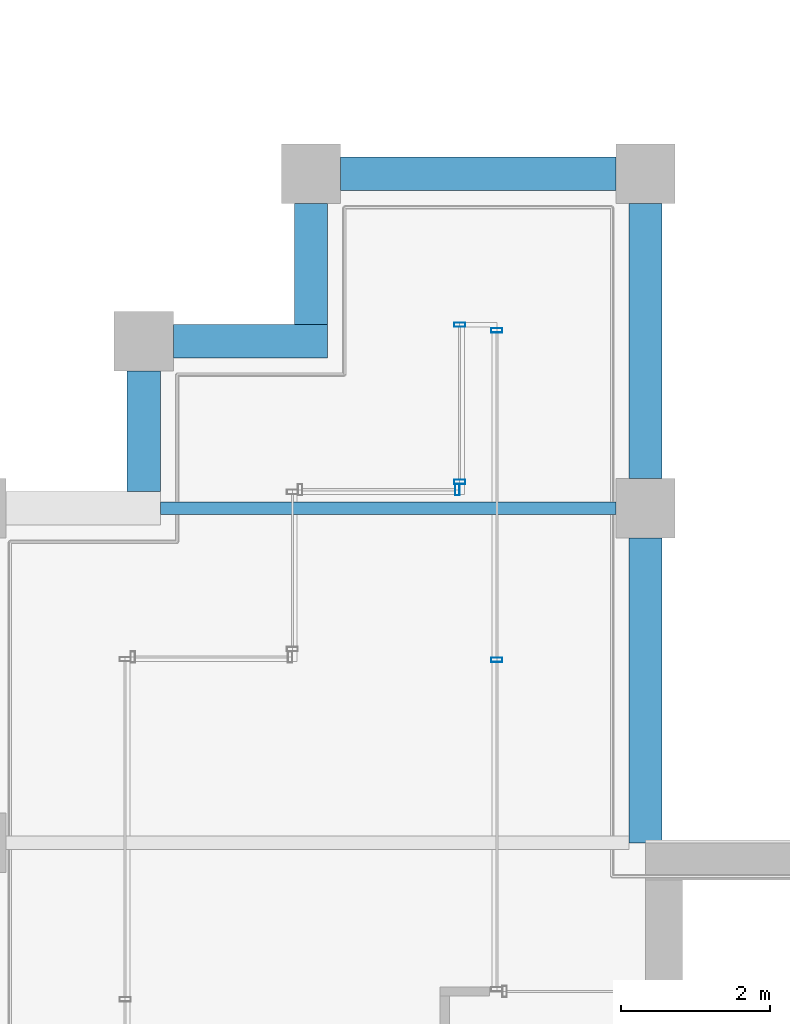
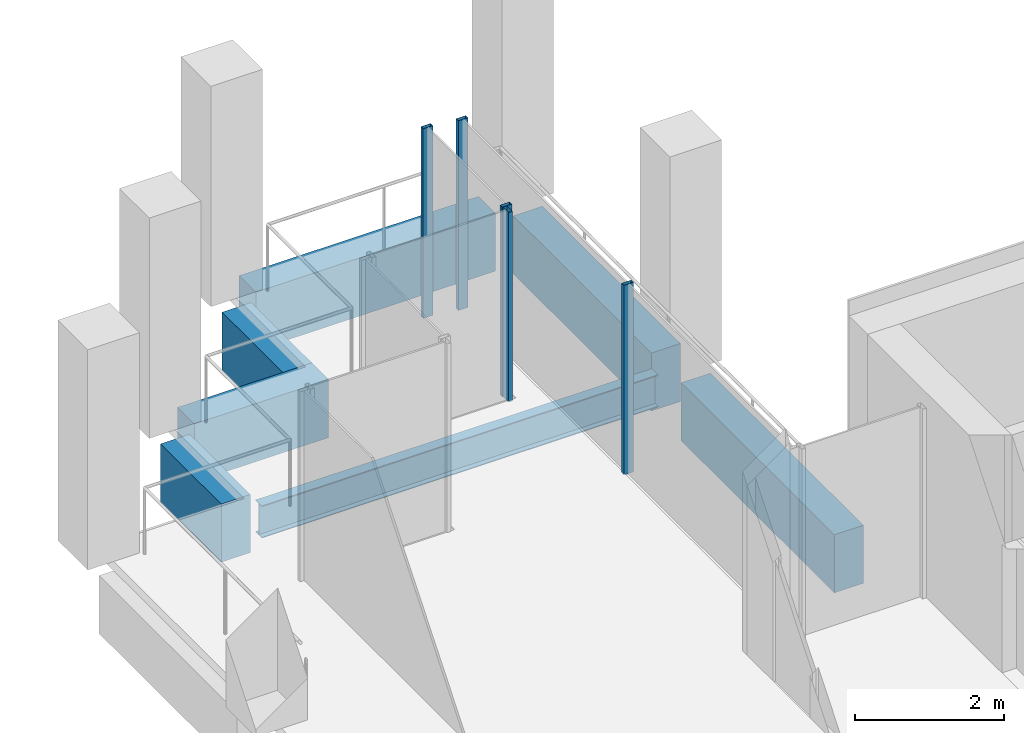
# One storey, part 33 of 40: 7 beams, 5 members, 3 elements without a shape of their own.
"""IFC4 building model written with IfcOpenShell, lengths in metres."""

import ifcopenshell
import ifcopenshell.guid

model = None  # the IFC model being written
_history = None  # IfcOwnerHistory: only IFC2X3 demands one
_inside = {}  # id of a spatial element -> (the spatial element, [elements in it])
_under = {}  # id of a project, library or spatial element -> (it, [spatial elements below it])
_declared = {}  # id of a project -> (the project, [libraries it declares])
_typed = {}  # id of a type object -> (the type object, [elements of that type])
_made_of = {}  # id of a material, layer set ... -> (it, [elements and type objects made of it])


def new_model(schema):
    """Start an empty IFC model of exactly this schema.

    Asked for "IFC4X3", IfcOpenShell would pick the latest addendum, in which some entities
    have other attributes; the version numbers below select the first issue.
    IFC2X3 requires an IfcOwnerHistory on every rooted entity: one is made here for all.
    """
    global model, _history
    if schema == "IFC4X3":
        model = ifcopenshell.file(schema_version=(4, 3, 0, 0))
    else:
        model = ifcopenshell.file(schema=schema)
    _inside.clear()
    _under.clear()
    _declared.clear()
    _typed.clear()
    _made_of.clear()
    _history = None
    if model.schema == "IFC2X3":
        org = make("IfcOrganization", Name="unknown")
        user = make(
            "IfcPersonAndOrganization",
            ThePerson=make("IfcPerson", FamilyName="unknown"),
            TheOrganization=org,
        )
        app = make(
            "IfcApplication",
            ApplicationDeveloper=org,
            Version="unknown",
            ApplicationFullName="unknown",
            ApplicationIdentifier="unknown",
        )
        _history = make(
            "IfcOwnerHistory",
            OwningUser=user,
            OwningApplication=app,
            ChangeAction="ADDED",
            CreationDate=0,
        )
    return model


def make(cls, **values):
    """One entity of the class cls with the attributes given. An attribute that is None is left unset."""
    return model.create_entity(
        cls, **{name: value for name, value in values.items() if value is not None}
    )


def rooted(cls, **values):
    """An entity with a GlobalId (a new one), such as an element, a storey or a relation."""
    return make(cls, GlobalId=ifcopenshell.guid.new(), OwnerHistory=_history, **values)


def si_unit(unit_type, name, prefix=None):
    """IfcSIUnit, for example si_unit("LENGTHUNIT", "METRE", prefix="MILLI")."""
    return make("IfcSIUnit", UnitType=unit_type, Prefix=prefix, Name=name)


def assignment(units):
    """IfcUnitAssignment: the units of a project."""
    return None if units is None else make("IfcUnitAssignment", Units=units)


def point(xyz):
    """IfcCartesianPoint."""
    return None if xyz is None else make("IfcCartesianPoint", Coordinates=xyz)


def direction(xyz):
    """IfcDirection."""
    return None if xyz is None else make("IfcDirection", DirectionRatios=xyz)


def frame(location, z_axis=None, x_axis=None):
    """IfcAxis2Placement3D, a coordinate frame: its origin and axes. An axis left out is left unset."""
    return make(
        "IfcAxis2Placement3D",
        Location=point(location),
        Axis=direction(z_axis),
        RefDirection=direction(x_axis),
    )


def frame_2d(location, x_axis=None):
    """IfcAxis2Placement2D, a coordinate frame in the plane: its origin and x axis."""
    return make(
        "IfcAxis2Placement2D", Location=point(location), RefDirection=direction(x_axis)
    )


def origin():
    """The frame at (0, 0, 0) with its axes left unset."""
    return frame((0.0, 0.0, 0.0))


def origin_2d():
    """The frame at (0, 0) in the plane with its x axis left unset."""
    return frame_2d((0.0, 0.0))


def place(relative_to, where):
    """IfcLocalPlacement: puts the frame where relative to a parent placement (None: the world)."""
    return make(
        "IfcLocalPlacement", PlacementRelTo=relative_to, RelativePlacement=where
    )


def context(
    kind, dimensions, precision=None, world=None, true_north=None, identifier=None
):
    """IfcGeometricRepresentationContext, for example the 3D "Model" context."""
    return make(
        "IfcGeometricRepresentationContext",
        ContextIdentifier=identifier,
        ContextType=kind,
        CoordinateSpaceDimension=dimensions,
        Precision=precision,
        WorldCoordinateSystem=world,
        TrueNorth=true_north,
    )


def subcontext(parent, identifier, kind, view, scale=None):
    """IfcGeometricRepresentationSubContext, for example "Body" below "Model"."""
    return make(
        "IfcGeometricRepresentationSubContext",
        ContextIdentifier=identifier,
        ContextType=kind,
        ParentContext=parent,
        TargetScale=scale,
        TargetView=view,
    )


def project(units=None, contexts=None):
    """IfcProject with its units and contexts."""
    return rooted(
        "IfcProject",
        Name="project",
        RepresentationContexts=contexts,
        UnitsInContext=assignment(units),
    )


def spatial(cls, under=None, at=None, **own):
    """A site, building, storey or space (cls), placed at a placement, below another one or the project."""
    s = rooted(cls, ObjectPlacement=at, **own)
    if under is not None:
        _under.setdefault(under.id(), (under, []))[1].append(s)
    return s


def profile(cls, at=None, kind="AREA", **sizes):
    """A parametric profile (cls). Its sizes go by their IFC names, for example OverallWidth=200.0."""
    return make(cls, ProfileType=kind, Position=at, **sizes)


def rectangle(**sizes):
    """IfcRectangleProfileDef."""
    return profile("IfcRectangleProfileDef", **sizes)


def hollow_rectangle(**sizes):
    """IfcRectangleHollowProfileDef."""
    return profile("IfcRectangleHollowProfileDef", **sizes)


def i_section(**sizes):
    """IfcIShapeProfileDef."""
    return profile("IfcIShapeProfileDef", **sizes)


def extrude(swept, where, along, depth):
    """IfcExtrudedAreaSolid: the profile swept, set in the frame where, extruded along a direction by depth."""
    return make(
        "IfcExtrudedAreaSolid",
        SweptArea=swept,
        Position=where,
        ExtrudedDirection=direction(along),
        Depth=depth,
    )


def shape(context_of_items, identifier, shape_type, items):
    """IfcShapeRepresentation: the items that make up one representation, for example the "Body"."""
    return make(
        "IfcShapeRepresentation",
        ContextOfItems=context_of_items,
        RepresentationIdentifier=identifier,
        RepresentationType=shape_type,
        Items=items,
    )


def material(Name=None, Category=None):
    """IfcMaterial."""
    return make("IfcMaterial", Name=Name, Category=Category)


def material_profile(
    of_material, cross_section, Name=None, Category=None, Priority=None
):
    """IfcMaterialProfile: a cross section and its material."""
    return make(
        "IfcMaterialProfile",
        Name=Name,
        Material=of_material,
        Profile=cross_section,
        Priority=Priority,
        Category=Category,
    )


def profile_set(profiles, Name=None, composite=None):
    """IfcMaterialProfileSet."""
    return make(
        "IfcMaterialProfileSet",
        Name=Name,
        MaterialProfiles=profiles,
        CompositeProfile=composite,
    )


def made_of(thing, what):
    """Note that an element or type object is made of a material, layer set ...; save() writes the relation."""
    if what is not None:
        _made_of.setdefault(what.id(), (what, []))[1].append(thing)
    return thing


def type_object(cls, material=None, **own):
    """A type object (cls), such as IfcWallType, which elements share."""
    return made_of(rooted(cls, **own), material)


def element(
    cls,
    number,
    at=None,
    inside=None,
    cuts=None,
    type_object=None,
    material=None,
    context=None,
    identifier="Body",
    shape_type=None,
    held_by="IfcProductDefinitionShape",
    body=None,
    shapes=None,
    **own,
):
    """One element of the class cls, such as IfcWall. Its Tag is "e" and its number.

    at: its placement. inside: the storey or other place that contains it. cuts: it is an
    opening in that element (IfcRelVoidsElement). A single representation is given by context,
    identifier, shape_type and body (its items); several are given by shapes. held_by: the class
    of the entity that holds the representations. save() writes the other relations.
    """
    e = rooted(cls, Tag="e%d" % number, ObjectPlacement=at, **own)
    if body is not None:
        shapes = [shape(context, identifier, shape_type, body)]
    if shapes is not None:
        e.Representation = make(held_by, Representations=shapes)
    if inside is not None:
        _inside.setdefault(inside.id(), (inside, []))[1].append(e)
    if cuts is not None:
        rooted(
            "IfcRelVoidsElement", RelatingBuildingElement=cuts, RelatedOpeningElement=e
        )
    if type_object is not None:
        _typed.setdefault(type_object.id(), (type_object, []))[1].append(e)
    return made_of(e, material)


def aggregate(whole, parts):
    """IfcRelAggregates: a whole, such as a stair, and the parts it consists of."""
    return rooted("IfcRelAggregates", RelatingObject=whole, RelatedObjects=parts)


def save(model, path):
    """Write the relations noted so far, then the file.

    IfcRelAggregates (storeys below a building ...), IfcRelContainedInSpatialStructure (elements
    in a storey), IfcRelDefinesByType, IfcRelAssociatesMaterial and IfcRelDeclares: one each for
    every whole, place, type object, material and project.
    """
    for whole, parts in _under.values():
        aggregate(whole, parts)
    for where, things in _inside.values():
        rooted(
            "IfcRelContainedInSpatialStructure",
            RelatedElements=things,
            RelatingStructure=where,
        )
    for kind, things in _typed.values():
        rooted("IfcRelDefinesByType", RelatedObjects=things, RelatingType=kind)
    for what, things in _made_of.values():
        rooted("IfcRelAssociatesMaterial", RelatedObjects=things, RelatingMaterial=what)
    for by, libraries in _declared.values():
        rooted("IfcRelDeclares", RelatingContext=by, RelatedDefinitions=libraries)
    model.write(path)


model = new_model("IFC4")

# Units and contexts
model_context = context("Model", 3, precision=1e-05, world=origin(), true_north=direction((0.0, 1.0)))
body_context = subcontext(model_context, "Body", "Model", "MODEL_VIEW")
ifc_project = project(units=[si_unit("LENGTHUNIT", "METRE"), si_unit("AREAUNIT", "SQUARE_METRE"), si_unit("VOLUMEUNIT", "CUBIC_METRE"), si_unit("PLANEANGLEUNIT", "RADIAN"), si_unit("MASSUNIT", "GRAM", prefix="KILO")], contexts=[model_context])

# Site, building, storey
site_placement = place(None, origin())
site = spatial("IfcSite", under=ifc_project, at=site_placement, CompositionType="ELEMENT")
building_placement = place(site_placement, origin())
building = spatial("IfcBuilding", under=site, at=building_placement, Name="Altepetl Exchange Towers", CompositionType="ELEMENT")
storey_placement = place(building_placement, frame((0.0, 0.0, 199.199951171875)))
storey = spatial("IfcBuildingStorey", under=building, at=storey_placement, Name="L50", CompositionType="ELEMENT", Elevation=199.199951171875)

# Beam
ifc_material_1 = material(Name="Steel S355", Category="steel")
ifc_material_profile_1 = material_profile(ifc_material_1, i_section(OverallWidth=0.166015625, OverallDepth=0.529052734375, WebThickness=0.009765625, FlangeThickness=0.013671875, at=origin_2d()), Name="W21X50")
ifc_profile_set_1 = profile_set([ifc_material_profile_1], Name="Steel S355")
beam_type_1 = type_object("IfcBeamType", Name="Floor beam W21X50", PredefinedType="BEAM", material=ifc_profile_set_1)
beam_1_placement = place(storey_placement, frame((96.97509765625, 54.0, -0.41455078125), z_axis=(1.0, 0.0, 0.0), x_axis=(0.0, 1.0, 0.0)))
element("IfcBeam", 1, at=beam_1_placement, inside=storey, type_object=beam_type_1, Name="bm:B:L50:007", PredefinedType="BEAM", context=body_context, shape_type="SweptSolid", body=[
    extrude(i_section(OverallWidth=0.166015625, OverallDepth=0.529052734375, WebThickness=0.009765625, FlangeThickness=0.013671875, at=origin_2d()), origin(), (0.0, 0.0, 1.0), 6.125),
])

# Curtain wall, members
ifc_material_2 = material(Name="Aluminium 6063-T6 glazing", Category="aluminium")
curtain_wall_type = type_object("IfcCurtainWallType", Name="Loggia glazing system", PredefinedType="NOTDEFINED", material=ifc_material_2)
curtain_wall_1_placement = place(storey_placement, origin())
curtain_wall_1 = element("IfcCurtainWall", 2, at=curtain_wall_1_placement, inside=storey, type_object=curtain_wall_type, Name="CW1 run", PredefinedType="NOTDEFINED")
ifc_material_3 = material(Name="Aluminium 6063-T6", Category="aluminium")
ifc_material_profile_2 = material_profile(ifc_material_3, hollow_rectangle(XDim=0.06005859375, YDim=0.14990234375, WallThickness=0.0029296875, at=origin_2d()), Name="Mullion 60x150 aluminium")
ifc_profile_set_2 = profile_set([ifc_material_profile_2], Name="Aluminium 6063-T6")
member_type = type_object("IfcMemberType", Name="Mullion 60x150 aluminium", PredefinedType="MULLION", material=ifc_profile_set_2)
member_1_placement = place(storey_placement, frame((101.5, 51.96240234375, 0.0), z_axis=(0.0, 0.0, 1.0), x_axis=(0.0, 1.0, 0.0)))
member_1 = element("IfcMember", 3, at=member_1_placement, type_object=member_type, Name="MU1 mullion", PredefinedType="MULLION", context=body_context, shape_type="SweptSolid", body=[
    extrude(hollow_rectangle(XDim=0.06005859375, YDim=0.14990234375, WallThickness=0.0029296875, at=origin_2d()), origin(), (0.0, 0.0, 1.0), 3.10009765625),
])
member_2_placement = place(storey_placement, frame((101.5, 56.39501953125, 0.0), z_axis=(0.0, 0.0, 1.0), x_axis=(0.0, 1.0, 0.0)))
member_2 = element("IfcMember", 4, at=member_2_placement, type_object=member_type, Name="MU1 mullion", PredefinedType="MULLION", context=body_context, shape_type="SweptSolid", body=[
    extrude(hollow_rectangle(XDim=0.06005859375, YDim=0.14990234375, WallThickness=0.0029296875, at=origin_2d()), origin(), (0.0, 0.0, 1.0), 3.10009765625),
])
aggregate(curtain_wall_1, [member_1, member_2])

curtain_wall_2_placement = place(storey_placement, origin())
curtain_wall_2 = element("IfcCurtainWall", 5, at=curtain_wall_2_placement, inside=storey, type_object=curtain_wall_type, Name="CW1 run", PredefinedType="NOTDEFINED")
member_3_placement = place(storey_placement, frame((101.0, 56.469970703125, 0.0), z_axis=(0.0, 0.0, 1.0), x_axis=(0.0, -1.0, 0.0)))
member_3 = element("IfcMember", 6, at=member_3_placement, type_object=member_type, Name="MU1 mullion", PredefinedType="MULLION", context=body_context, shape_type="SweptSolid", body=[
    extrude(hollow_rectangle(XDim=0.06005859375, YDim=0.14990234375, WallThickness=0.0029296875, at=origin_2d()), origin(), (0.0, 0.0, 1.0), 3.10009765625),
])
member_4_placement = place(storey_placement, frame((101.0, 54.35498046875, 0.0), z_axis=(0.0, 0.0, 1.0), x_axis=(0.0, -1.0, 0.0)))
member_4 = element("IfcMember", 7, at=member_4_placement, type_object=member_type, Name="MU1 mullion", PredefinedType="MULLION", context=body_context, shape_type="SweptSolid", body=[
    extrude(hollow_rectangle(XDim=0.06005859375, YDim=0.14990234375, WallThickness=0.0029296875, at=origin_2d()), origin(), (0.0, 0.0, 1.0), 3.10009765625),
])
aggregate(curtain_wall_2, [member_3, member_4])

# Curtain wall, member
curtain_wall_3_placement = place(storey_placement, origin())
curtain_wall_3 = element("IfcCurtainWall", 8, at=curtain_wall_3_placement, inside=storey, type_object=curtain_wall_type, Name="CW1 run", PredefinedType="NOTDEFINED")
member_5_placement = place(storey_placement, frame((100.969970703125, 54.25, 0.0), z_axis=(0.0, 0.0, 1.0), x_axis=(-1.0, 0.0, 0.0)))
member_5 = element("IfcMember", 9, at=member_5_placement, type_object=member_type, Name="MU1 mullion", PredefinedType="MULLION", context=body_context, shape_type="SweptSolid", body=[
    extrude(hollow_rectangle(XDim=0.06005859375, YDim=0.14990234375, WallThickness=0.0029296875, at=origin_2d()), origin(), (0.0, 0.0, 1.0), 3.10009765625),
])
aggregate(curtain_wall_3, [member_5])

# Beams
ifc_material_4 = material(Name="Concrete C50/60 precast with cantera rosa facing", Category="concrete")
ifc_material_profile_3 = material_profile(ifc_material_4, rectangle(XDim=0.449951171875, YDim=0.949951171875, at=origin_2d()), Name="450 x 950")
ifc_profile_set_3 = profile_set([ifc_material_profile_3], Name="Concrete C50/60 precast with cantera rosa facing")
beam_type_2 = type_object("IfcBeamType", Name="Spandrel beam 450x950 cantera rosa", PredefinedType="SPANDREL", material=ifc_profile_set_3)
beam_2_placement = place(storey_placement, frame((103.5, 49.5, -0.625), z_axis=(0.0, 1.0, 0.0), x_axis=(-1.0, 0.0, 0.0)))
element("IfcBeam", 10, at=beam_2_placement, inside=storey, type_object=beam_type_2, Name="sp:B:L50:008", PredefinedType="SPANDREL", context=body_context, shape_type="SweptSolid", body=[
    extrude(rectangle(XDim=0.449951171875, YDim=0.949951171875, at=origin_2d()), origin(), (0.0, 0.0, 1.0), 4.10009765625),
])
for number, where, z_axis, x_axis, name in (
    (11, (103.5, 54.39990234375, -0.625), (0.0, 1.0, 0.0), (-1.0, 0.0, 0.0), "sp:B:L50:009"),
    (12, (103.10009765625, 58.5, -0.625), (-1.0, 0.0, 0.0), (0.0, -1.0, 0.0), "sp:B:L50:010"),
):
    element("IfcBeam", number, at=place(storey_placement, frame(where, z_axis=z_axis, x_axis=x_axis)), inside=storey, type_object=beam_type_2, Name=name, PredefinedType="SPANDREL", context=body_context, shape_type="SweptSolid", body=[
        extrude(rectangle(XDim=0.449951171875, YDim=0.949951171875, at=origin_2d()), origin(), (0.0, 0.0, 1.0), 3.7001953125),
    ])
beam_3_placement = place(storey_placement, frame((99.0, 58.10009765625, -0.625), z_axis=(0.0, -1.0, 0.0), x_axis=(1.0, 0.0, 0.0)))
element("IfcBeam", 13, at=beam_3_placement, inside=storey, type_object=beam_type_2, Name="sp:B:L50:011", PredefinedType="SPANDREL", context=body_context, shape_type="SweptSolid", body=[
    extrude(rectangle(XDim=0.449951171875, YDim=0.949951171875, at=origin_2d()), origin(), (0.0, 0.0, 1.0), 1.625),
])
beam_4_placement = place(storey_placement, frame((99.22509765625, 56.25, -0.625), z_axis=(-1.0, 0.0, 0.0), x_axis=(0.0, -1.0, 0.0)))
element("IfcBeam", 14, at=beam_4_placement, inside=storey, type_object=beam_type_2, Name="sp:B:L50:012", PredefinedType="SPANDREL", context=body_context, shape_type="SweptSolid", body=[
    extrude(rectangle(XDim=0.449951171875, YDim=0.949951171875, at=origin_2d()), origin(), (0.0, 0.0, 1.0), 2.0751953125),
])
beam_5_placement = place(storey_placement, frame((96.75, 55.85009765625, -0.625), z_axis=(0.0, -1.0, 0.0), x_axis=(1.0, 0.0, 0.0)))
element("IfcBeam", 15, at=beam_5_placement, inside=storey, type_object=beam_type_2, Name="sp:B:L50:013", PredefinedType="SPANDREL", context=body_context, shape_type="SweptSolid", body=[
    extrude(rectangle(XDim=0.449951171875, YDim=0.949951171875, at=origin_2d()), origin(), (0.0, 0.0, 1.0), 1.625),
])

save(model, "model.ifc")
